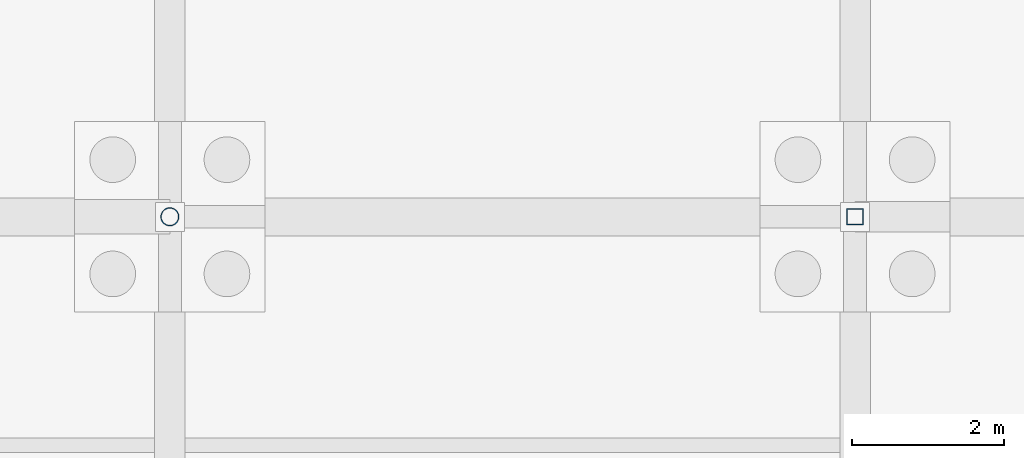
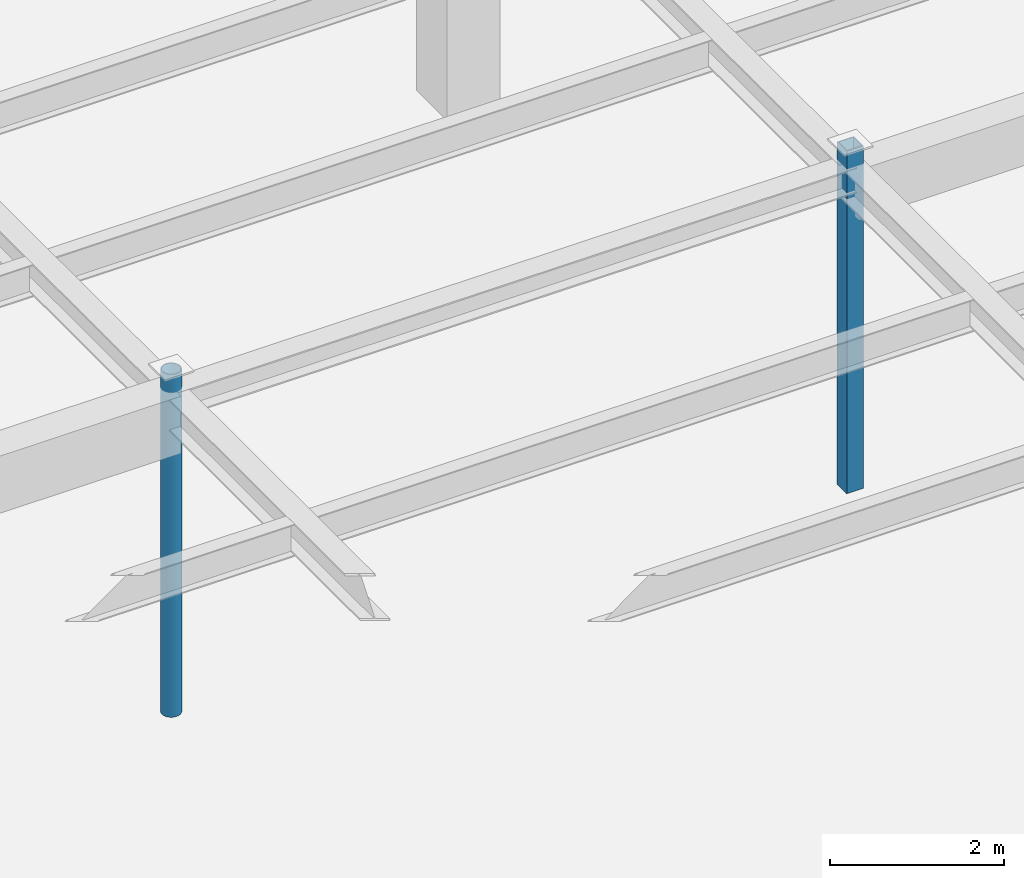
# One storey, part 17 of 49: 2 columns.
"""IFC4 building model written with IfcOpenShell, lengths in metres."""

from ifc_helpers import new_model, si_unit, direction, frame, origin, origin_2d, place, context, subcontext, project, spatial, hollow_rectangle, hollow_circle, extrude, material, material_profile, profile_set, type_object, element, save


model = new_model("IFC4")

# Units and contexts
model_context = context("Model", 3, precision=1e-05, world=origin(), true_north=direction((0.0, 1.0)))
body_context = subcontext(model_context, "Body", "Model", "MODEL_VIEW")
ifc_project = project(units=[si_unit("LENGTHUNIT", "METRE"), si_unit("AREAUNIT", "SQUARE_METRE"), si_unit("VOLUMEUNIT", "CUBIC_METRE"), si_unit("PLANEANGLEUNIT", "RADIAN"), si_unit("MASSUNIT", "GRAM", prefix="KILO")], contexts=[model_context])

# Site, building, storey
site_placement = place(None, origin())
site = spatial("IfcSite", under=ifc_project, at=site_placement, CompositionType="ELEMENT")
building_placement = place(site_placement, origin())
building = spatial("IfcBuilding", under=site, at=building_placement, Name="Lykobir Media Centre", CompositionType="ELEMENT")
storey_placement = place(building_placement, frame((0.0, 0.0, -4.800048828125)))
storey = spatial("IfcBuildingStorey", under=building, at=storey_placement, Name="B1", CompositionType="ELEMENT", Elevation=-4.800048828125)

# Columns
ifc_material = material(Name="Steel S355", Category="steel")
ifc_material_profile_1 = material_profile(ifc_material, hollow_circle(Radius=0.122314453125, WallThickness=0.012451171875, at=origin_2d()), Name="CHS 244.5x12.5")
ifc_profile_set_1 = profile_set([ifc_material_profile_1], Name="Steel S355")
column_type_1 = type_object("IfcColumnType", Name="SC-CHS244", PredefinedType="COLUMN", material=ifc_profile_set_1)
column_1_placement = place(storey_placement, frame((117.0, 27.0, 0.0), z_axis=(0.0, 0.0, 1.0), x_axis=(1.0, 0.0, 0.0)))
element("IfcColumn", 1, at=column_1_placement, inside=storey, type_object=column_type_1, Name="Column COL-B1-1170-0270", PredefinedType="COLUMN", context=body_context, shape_type="SweptSolid", body=[
    extrude(hollow_circle(Radius=0.122314453125, WallThickness=0.012451171875, at=origin_2d()), origin(), (0.0, 0.0, 1.0), 4.800048828125),
])
ifc_material_profile_2 = material_profile(ifc_material, hollow_rectangle(XDim=0.219970703125, YDim=0.219970703125, WallThickness=0.012451171875, at=origin_2d()), Name="SHS 220x220x12.5")
ifc_profile_set_2 = profile_set([ifc_material_profile_2], Name="Steel S355")
column_type_2 = type_object("IfcColumnType", Name="SC-SHS220", PredefinedType="COLUMN", material=ifc_profile_set_2)
column_2_placement = place(storey_placement, frame((126.0, 27.0, 0.0), z_axis=(0.0, 0.0, 1.0), x_axis=(1.0, 0.0, 0.0)))
element("IfcColumn", 2, at=column_2_placement, inside=storey, type_object=column_type_2, Name="Column COL-B1-1260-0270", PredefinedType="COLUMN", context=body_context, shape_type="SweptSolid", body=[
    extrude(hollow_rectangle(XDim=0.219970703125, YDim=0.219970703125, WallThickness=0.012451171875, at=origin_2d()), origin(), (0.0, 0.0, 1.0), 4.800048828125),
])

save(model, "model.ifc")
